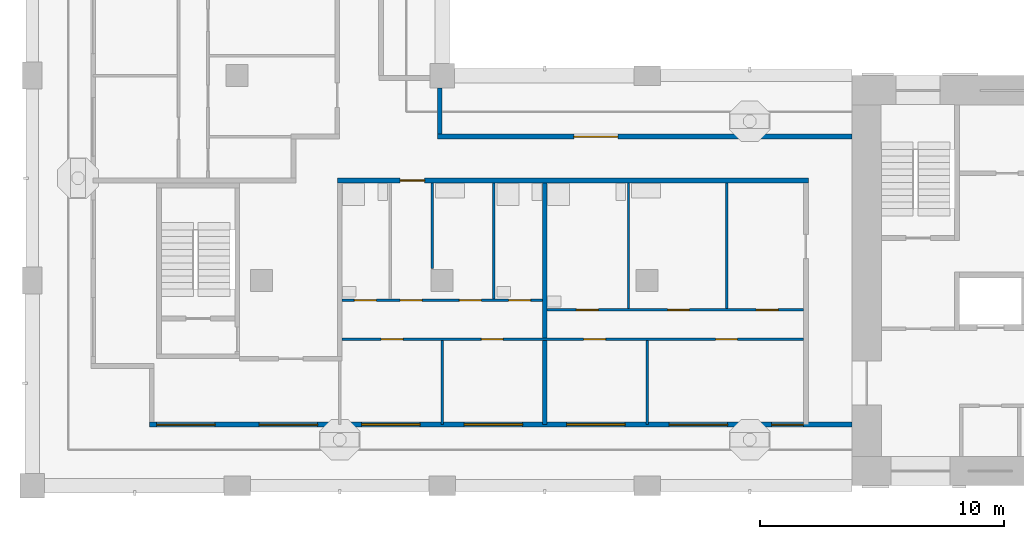
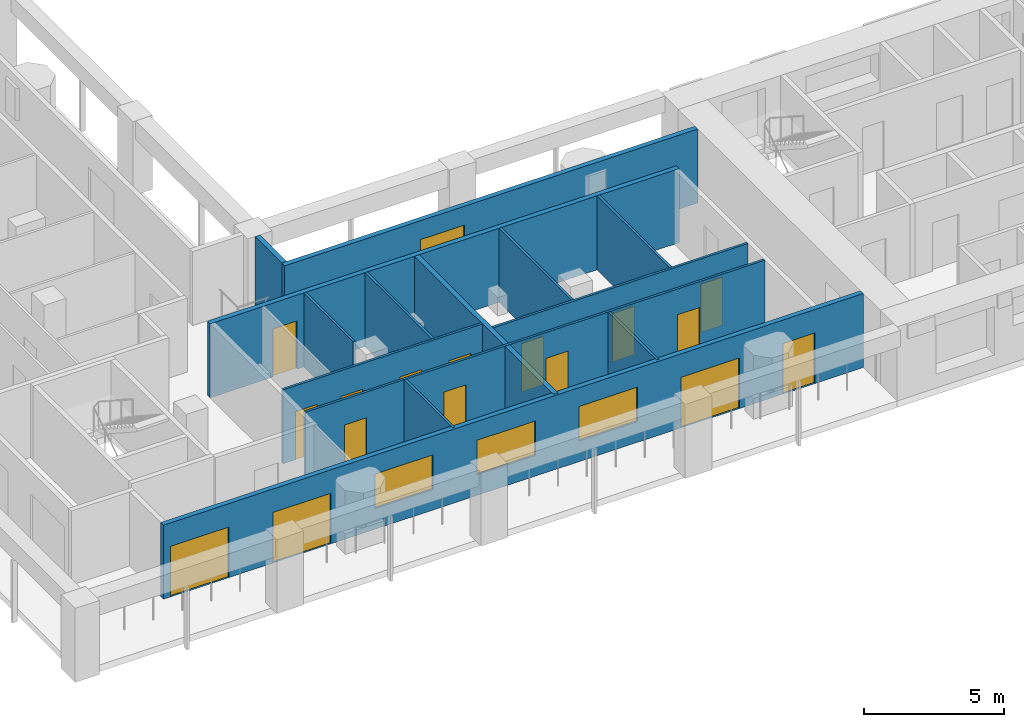
# One storey, part 2 of 12: 17 doors, 14 walls, 3 windows, 20 openings.
"""IFC4 building model written with IfcOpenShell, lengths in metres."""

from ifc_helpers import new_model, si_unit, direction, frame, frame_2d, origin, place, context, subcontext, project, spatial, rectangle, extrude, material, layer, layer_set, type_object, element, fill, save


model = new_model("IFC4")

# Units and contexts
model_context = context("Model", 3, precision=1e-05, world=origin(), true_north=direction((0.0, 1.0)))
body_context = subcontext(model_context, "Body", "Model", "MODEL_VIEW")
ifc_project = project(units=[si_unit("LENGTHUNIT", "METRE"), si_unit("AREAUNIT", "SQUARE_METRE"), si_unit("VOLUMEUNIT", "CUBIC_METRE"), si_unit("PLANEANGLEUNIT", "RADIAN"), si_unit("MASSUNIT", "GRAM", prefix="KILO")], contexts=[model_context])

# Site, building, storey
site_placement = place(None, origin())
site = spatial("IfcSite", under=ifc_project, at=site_placement, CompositionType="ELEMENT")
building_placement = place(site_placement, origin())
building = spatial("IfcBuilding", under=site, at=building_placement, Name="Vermilion Gate Residences", CompositionType="ELEMENT")
storey_placement = place(building_placement, frame((0.0, 0.0, 238.699951171875)))
storey = spatial("IfcBuildingStorey", under=building, at=storey_placement, Name="L62", CompositionType="ELEMENT", Elevation=238.699951171875)

# Wall, openings, doors, windows
ifc_material_1 = material(Name="Insulated steel stud wall with terracotta rainscreen", Category="masonry")
ifc_layer_1 = layer(ifc_material_1, 0.199951171875)
ifc_layer_set_1 = layer_set([ifc_layer_1], Name="EXTERNAL WALL 200 TERRACOTTA RAINSCREEN")
wall_type_1 = type_object("IfcWallType", Name="EXTERNAL WALL 200 TERRACOTTA RAINSCREEN", PredefinedType="SOLIDWALL", material=ifc_layer_set_1)
wall_1_placement = place(storey_placement, frame((13.199951171875, 10.89990234375, 0.0), z_axis=(0.0, 0.0, 1.0), x_axis=(1.0, 0.0, 0.0)))
wall_1 = element("IfcWall", 1, at=wall_1_placement, inside=storey, type_object=wall_type_1, Name="External wall", PredefinedType="SOLIDWALL", context=body_context, shape_type="SweptSolid", body=[
    extrude(rectangle(XDim=28.800048828125, YDim=0.199951171875, at=frame_2d((14.39990234375, 0.0))), origin(), (0.0, 0.0, 1.0), 3.219970703125),
])
opening_1_placement = place(wall_1_placement, frame((0.300048828125, 0.0, 0.0)))
opening_1 = element("IfcOpeningElement", 2, at=opening_1_placement, cuts=wall_1, Name="Opening DE62008", PredefinedType="OPENING", context=body_context, shape_type="SweptSolid", body=[
    extrude(rectangle(XDim=2.39990234375, YDim=2.199951171875, at=frame_2d((1.199951171875, 1.10009765625))), frame((0.0, 0.10986328125, 0.0), z_axis=(0.0, -1.0, 0.0), x_axis=(1.0, 0.0, 0.0)), (0.0, 0.0, 1.0), 0.219970703125),
])
opening_2_placement = place(wall_1_placement, frame((4.5, 0.0, 0.0)))
opening_2 = element("IfcOpeningElement", 3, at=opening_2_placement, cuts=wall_1, Name="Opening DE62009", PredefinedType="OPENING", context=body_context, shape_type="SweptSolid", body=[
    extrude(rectangle(XDim=2.39990234375, YDim=2.199951171875, at=frame_2d((1.199951171875, 1.10009765625))), frame((0.0, 0.10986328125, 0.0), z_axis=(0.0, -1.0, 0.0), x_axis=(1.0, 0.0, 0.0)), (0.0, 0.0, 1.0), 0.219970703125),
])
opening_3_placement = place(wall_1_placement, frame((8.699951171875, 0.0, 0.89990234375)))
opening_3 = element("IfcOpeningElement", 4, at=opening_3_placement, cuts=wall_1, Name="Opening WE62010", PredefinedType="OPENING", context=body_context, shape_type="SweptSolid", body=[
    extrude(rectangle(XDim=2.39990234375, YDim=1.5, at=frame_2d((1.199951171875, 0.75))), frame((0.0, 0.10986328125, 0.0), z_axis=(0.0, -1.0, 0.0), x_axis=(1.0, 0.0, 0.0)), (0.0, 0.0, 1.0), 0.219970703125),
])
opening_4_placement = place(wall_1_placement, frame((12.89990234375, 0.0, 0.89990234375)))
opening_4 = element("IfcOpeningElement", 5, at=opening_4_placement, cuts=wall_1, Name="Opening WE62011", PredefinedType="OPENING", context=body_context, shape_type="SweptSolid", body=[
    extrude(rectangle(XDim=2.39990234375, YDim=1.5, at=frame_2d((1.199951171875, 0.75))), frame((0.0, 0.10986328125, 0.0), z_axis=(0.0, -1.0, 0.0), x_axis=(1.0, 0.0, 0.0)), (0.0, 0.0, 1.0), 0.219970703125),
])
opening_5_placement = place(wall_1_placement, frame((17.10009765625, 0.0, 0.89990234375)))
opening_5 = element("IfcOpeningElement", 6, at=opening_5_placement, cuts=wall_1, Name="Opening WE62012", PredefinedType="OPENING", context=body_context, shape_type="SweptSolid", body=[
    extrude(rectangle(XDim=2.39990234375, YDim=1.5, at=frame_2d((1.199951171875, 0.75))), frame((0.0, 0.10986328125, 0.0), z_axis=(0.0, -1.0, 0.0), x_axis=(1.0, 0.0, 0.0)), (0.0, 0.0, 1.0), 0.219970703125),
])
opening_6_placement = place(wall_1_placement, frame((21.300048828125, 0.0, 0.0)))
opening_6 = element("IfcOpeningElement", 7, at=opening_6_placement, cuts=wall_1, Name="Opening DE62013", PredefinedType="OPENING", context=body_context, shape_type="SweptSolid", body=[
    extrude(rectangle(XDim=2.39990234375, YDim=2.199951171875, at=frame_2d((1.199951171875, 1.10009765625))), frame((0.0, 0.10986328125, 0.0), z_axis=(0.0, -1.0, 0.0), x_axis=(1.0, 0.0, 0.0)), (0.0, 0.0, 1.0), 0.219970703125),
])
opening_7_placement = place(wall_1_placement, frame((25.5, 0.0, 0.0)))
opening_7 = element("IfcOpeningElement", 8, at=opening_7_placement, cuts=wall_1, Name="Opening DE62014", PredefinedType="OPENING", context=body_context, shape_type="SweptSolid", body=[
    extrude(rectangle(XDim=1.300048828125, YDim=2.199951171875, at=frame_2d((0.64990234375, 1.10009765625))), frame((0.0, 0.10986328125, 0.0), z_axis=(0.0, -1.0, 0.0), x_axis=(1.0, 0.0, 0.0)), (0.0, 0.0, 1.0), 0.219970703125),
])
ifc_material_2 = material(Name="Aluminium and clear glass", Category="aluminium")
door_type_1 = type_object("IfcDoorType", Name="SLIDING GLAZED DOOR 1300 X 2200", OperationType="DOUBLE_DOOR_SLIDING", PredefinedType="DOOR", material=ifc_material_2)
door_1_placement = place(opening_7_placement, origin())
door_1 = element("IfcDoor", 9, at=door_1_placement, inside=storey, type_object=door_type_1, Name="Loggia sliding door", OperationType="DOUBLE_DOOR_SLIDING", OverallHeight=2.199951171875, OverallWidth=1.300048828125, PredefinedType="DOOR", context=body_context, shape_type="SweptSolid", body=[
    extrude(rectangle(XDim=1.300048828125, YDim=2.199951171875, at=frame_2d((0.64990234375, 1.10009765625))), frame((0.0, 0.02490234375, 0.0), z_axis=(0.0, -1.0, 0.0), x_axis=(1.0, 0.0, 0.0)), (0.0, 0.0, 1.0), 0.050048828125),
])
fill(opening_7, door_1)
ifc_material_3 = material(Name="Aluminium and clear glass", Category="aluminium")
door_type_2 = type_object("IfcDoorType", Name="SLIDING GLAZED DOOR 2400 X 2200", OperationType="DOUBLE_DOOR_SLIDING", PredefinedType="DOOR", material=ifc_material_3)
door_2_placement = place(opening_1_placement, origin())
door_2 = element("IfcDoor", 10, at=door_2_placement, inside=storey, type_object=door_type_2, Name="Loggia sliding door", OperationType="DOUBLE_DOOR_SLIDING", OverallHeight=2.199951171875, OverallWidth=2.39990234375, PredefinedType="DOOR", context=body_context, shape_type="SweptSolid", body=[
    extrude(rectangle(XDim=2.39990234375, YDim=2.199951171875, at=frame_2d((1.199951171875, 1.10009765625))), frame((0.0, 0.02490234375, 0.0), z_axis=(0.0, -1.0, 0.0), x_axis=(1.0, 0.0, 0.0)), (0.0, 0.0, 1.0), 0.050048828125),
])
fill(opening_1, door_2)
door_3_placement = place(opening_2_placement, origin())
door_3 = element("IfcDoor", 11, at=door_3_placement, inside=storey, type_object=door_type_2, Name="Loggia sliding door", OperationType="DOUBLE_DOOR_SLIDING", OverallHeight=2.199951171875, OverallWidth=2.39990234375, PredefinedType="DOOR", context=body_context, shape_type="SweptSolid", body=[
    extrude(rectangle(XDim=2.39990234375, YDim=2.199951171875, at=frame_2d((1.199951171875, 1.10009765625))), frame((0.0, 0.02490234375, 0.0), z_axis=(0.0, -1.0, 0.0), x_axis=(1.0, 0.0, 0.0)), (0.0, 0.0, 1.0), 0.050048828125),
])
fill(opening_2, door_3)
door_4_placement = place(opening_6_placement, origin())
door_4 = element("IfcDoor", 12, at=door_4_placement, inside=storey, type_object=door_type_2, Name="Loggia sliding door", OperationType="DOUBLE_DOOR_SLIDING", OverallHeight=2.199951171875, OverallWidth=2.39990234375, PredefinedType="DOOR", context=body_context, shape_type="SweptSolid", body=[
    extrude(rectangle(XDim=2.39990234375, YDim=2.199951171875, at=frame_2d((1.199951171875, 1.10009765625))), frame((0.0, 0.02490234375, 0.0), z_axis=(0.0, -1.0, 0.0), x_axis=(1.0, 0.0, 0.0)), (0.0, 0.0, 1.0), 0.050048828125),
])
fill(opening_6, door_4)
ifc_material_4 = material(Name="Aluminium and clear glass", Category="aluminium")
window_type = type_object("IfcWindowType", Name="WINDOW 2400 X 1500", PartitioningType="SINGLE_PANEL", PredefinedType="WINDOW", material=ifc_material_4)
window_1_placement = place(opening_3_placement, origin())
window_1 = element("IfcWindow", 13, at=window_1_placement, inside=storey, type_object=window_type, Name="Window", OverallHeight=1.5, OverallWidth=2.39990234375, PartitioningType="SINGLE_PANEL", PredefinedType="WINDOW", context=body_context, shape_type="SweptSolid", body=[
    extrude(rectangle(XDim=2.39990234375, YDim=1.5, at=frame_2d((1.199951171875, 0.75))), frame((0.0, 0.030029296875, 0.0), z_axis=(0.0, -1.0, 0.0), x_axis=(1.0, 0.0, 0.0)), (0.0, 0.0, 1.0), 0.06005859375),
])
fill(opening_3, window_1)
window_2_placement = place(opening_4_placement, origin())
window_2 = element("IfcWindow", 14, at=window_2_placement, inside=storey, type_object=window_type, Name="Window", OverallHeight=1.5, OverallWidth=2.39990234375, PartitioningType="SINGLE_PANEL", PredefinedType="WINDOW", context=body_context, shape_type="SweptSolid", body=[
    extrude(rectangle(XDim=2.39990234375, YDim=1.5, at=frame_2d((1.199951171875, 0.75))), frame((0.0, 0.030029296875, 0.0), z_axis=(0.0, -1.0, 0.0), x_axis=(1.0, 0.0, 0.0)), (0.0, 0.0, 1.0), 0.06005859375),
])
fill(opening_4, window_2)
window_3_placement = place(opening_5_placement, origin())
window_3 = element("IfcWindow", 15, at=window_3_placement, inside=storey, type_object=window_type, Name="Window", OverallHeight=1.5, OverallWidth=2.39990234375, PartitioningType="SINGLE_PANEL", PredefinedType="WINDOW", context=body_context, shape_type="SweptSolid", body=[
    extrude(rectangle(XDim=2.39990234375, YDim=1.5, at=frame_2d((1.199951171875, 0.75))), frame((0.0, 0.030029296875, 0.0), z_axis=(0.0, -1.0, 0.0), x_axis=(1.0, 0.0, 0.0)), (0.0, 0.0, 1.0), 0.06005859375),
])
fill(opening_5, window_3)

# Wall, opening, door
wall_2_placement = place(storey_placement, frame((42.0, 22.699951171875, 0.0), z_axis=(0.0, 0.0, 1.0), x_axis=(-1.0, 0.0, 0.0)))
wall_2 = element("IfcWall", 16, at=wall_2_placement, inside=storey, type_object=wall_type_1, Name="External wall", PredefinedType="SOLIDWALL", context=body_context, shape_type="SweptSolid", body=[
    extrude(rectangle(XDim=17.0, YDim=0.199951171875, at=frame_2d((8.5, 0.0))), origin(), (0.0, 0.0, 1.0), 3.219970703125),
])
opening_8_placement = place(wall_2_placement, frame((9.60009765625, 0.0, 0.0)))
opening_8 = element("IfcOpeningElement", 17, at=opening_8_placement, cuts=wall_2, Name="Opening DE62015", PredefinedType="OPENING", context=body_context, shape_type="SweptSolid", body=[
    extrude(rectangle(XDim=1.800048828125, YDim=2.39990234375, at=frame_2d((0.89990234375, 1.199951171875))), frame((0.0, 0.10986328125, 0.0), z_axis=(0.0, -1.0, 0.0), x_axis=(1.0, 0.0, 0.0)), (0.0, 0.0, 1.0), 0.219970703125),
])
ifc_material_5 = material(Name="Aluminium and clear glass", Category="aluminium")
door_type_3 = type_object("IfcDoorType", Name="GLAZED EXTERNAL DOOR 1800 X 2400", OperationType="DOUBLE_DOOR_SINGLE_SWING", PredefinedType="DOOR", material=ifc_material_5)
door_5_placement = place(opening_8_placement, frame((1.800048828125, 0.0, 0.0), z_axis=(0.0, 0.0, 1.0), x_axis=(-1.0, 0.0, 0.0)))
door_5 = element("IfcDoor", 18, at=door_5_placement, inside=storey, type_object=door_type_3, Name="Gallery door", OperationType="DOUBLE_DOOR_SINGLE_SWING", OverallHeight=2.39990234375, OverallWidth=1.800048828125, PredefinedType="DOOR", context=body_context, shape_type="SweptSolid", body=[
    extrude(rectangle(XDim=1.800048828125, YDim=2.39990234375, at=frame_2d((0.89990234375, 1.199951171875))), frame((0.0, 0.02490234375, 0.0), z_axis=(0.0, -1.0, 0.0), x_axis=(1.0, 0.0, 0.0)), (0.0, 0.0, 1.0), 0.050048828125),
])
fill(opening_8, door_5)

# Wall
wall_3_placement = place(storey_placement, frame((25.10009765625, 22.800048828125, 0.0), z_axis=(0.0, 0.0, 1.0), x_axis=(0.0, 1.0, 0.0)))
element("IfcWall", 19, at=wall_3_placement, inside=storey, type_object=wall_type_1, Name="External wall", PredefinedType="SOLIDWALL", context=body_context, shape_type="SweptSolid", body=[
    extrude(rectangle(XDim=1.89990234375, YDim=0.199951171875, at=frame_2d((0.949951171875, 0.0))), origin(), (0.0, 0.0, 1.0), 3.219970703125),
])

# Wall, openings, doors
ifc_material_6 = material(Name="Plasterboard on steel studs", Category="steel")
ifc_layer_2 = layer(ifc_material_6, 0.10009765625)
ifc_layer_set_2 = layer_set([ifc_layer_2], Name="PARTITION 100")
wall_type_2 = type_object("IfcWallType", Name="PARTITION 100", PredefinedType="PARTITIONING", material=ifc_layer_set_2)
wall_4_placement = place(storey_placement, frame((21.10009765625, 14.39990234375, 0.0), z_axis=(0.0, 0.0, 1.0), x_axis=(1.0, 0.0, 0.0)))
wall_4 = element("IfcWall", 20, at=wall_4_placement, inside=storey, type_object=wall_type_2, Name="Partition", PredefinedType="PARTITIONING", context=body_context, shape_type="SweptSolid", body=[
    extrude(rectangle(XDim=18.89990234375, YDim=0.10009765625, at=frame_2d((9.449951171875, 0.0))), origin(), (0.0, 0.0, 1.0), 3.219970703125),
])
opening_9_placement = place(wall_4_placement, frame((1.60009765625, 0.0, 0.0)))
opening_9 = element("IfcOpeningElement", 21, at=opening_9_placement, cuts=wall_4, Name="Opening DA61002", PredefinedType="OPENING", context=body_context, shape_type="SweptSolid", body=[
    extrude(rectangle(XDim=0.89990234375, YDim=2.10009765625, at=frame_2d((0.449951171875, 1.050048828125))), frame((0.0, 0.06005859375, 0.0), z_axis=(0.0, -1.0, 0.0), x_axis=(1.0, 0.0, 0.0)), (0.0, 0.0, 1.0), 0.1201171875),
])
opening_10_placement = place(wall_4_placement, frame((5.699951171875, 0.0, 0.0)))
opening_10 = element("IfcOpeningElement", 22, at=opening_10_placement, cuts=wall_4, Name="Opening DA61003", PredefinedType="OPENING", context=body_context, shape_type="SweptSolid", body=[
    extrude(rectangle(XDim=0.89990234375, YDim=2.10009765625, at=frame_2d((0.449951171875, 1.050048828125))), frame((0.0, 0.06005859375, 0.0), z_axis=(0.0, -1.0, 0.0), x_axis=(1.0, 0.0, 0.0)), (0.0, 0.0, 1.0), 0.1201171875),
])
opening_11_placement = place(wall_4_placement, frame((9.89990234375, 0.0, 0.0)))
opening_11 = element("IfcOpeningElement", 23, at=opening_11_placement, cuts=wall_4, Name="Opening DA61004", PredefinedType="OPENING", context=body_context, shape_type="SweptSolid", body=[
    extrude(rectangle(XDim=0.89990234375, YDim=2.10009765625, at=frame_2d((0.449951171875, 1.050048828125))), frame((0.0, 0.06005859375, 0.0), z_axis=(0.0, -1.0, 0.0), x_axis=(1.0, 0.0, 0.0)), (0.0, 0.0, 1.0), 0.1201171875),
])
opening_12_placement = place(wall_4_placement, frame((15.300048828125, 0.0, 0.0)))
opening_12 = element("IfcOpeningElement", 24, at=opening_12_placement, cuts=wall_4, Name="Opening DA61005", PredefinedType="OPENING", context=body_context, shape_type="SweptSolid", body=[
    extrude(rectangle(XDim=0.89990234375, YDim=2.10009765625, at=frame_2d((0.449951171875, 1.050048828125))), frame((0.0, 0.06005859375, 0.0), z_axis=(0.0, -1.0, 0.0), x_axis=(1.0, 0.0, 0.0)), (0.0, 0.0, 1.0), 0.1201171875),
])
ifc_material_7 = material(Name="Timber", Category="wood")
door_type_4 = type_object("IfcDoorType", Name="INTERIOR DOOR 900 X 2100", OperationType="SINGLE_SWING_LEFT", PredefinedType="DOOR", material=ifc_material_7)
door_6_placement = place(opening_9_placement, frame((0.89990234375, 0.0, 0.0), z_axis=(0.0, 0.0, 1.0), x_axis=(-1.0, 0.0, 0.0)))
door_6 = element("IfcDoor", 25, at=door_6_placement, inside=storey, type_object=door_type_4, Name="Interior door", OperationType="SINGLE_SWING_LEFT", OverallHeight=2.10009765625, OverallWidth=0.89990234375, PredefinedType="DOOR", context=body_context, shape_type="SweptSolid", body=[
    extrude(rectangle(XDim=0.89990234375, YDim=2.10009765625, at=frame_2d((0.449951171875, 1.050048828125))), frame((0.0, 0.02490234375, 0.0), z_axis=(0.0, -1.0, 0.0), x_axis=(1.0, 0.0, 0.0)), (0.0, 0.0, 1.0), 0.050048828125),
])
fill(opening_9, door_6)
door_7_placement = place(opening_10_placement, frame((0.89990234375, 0.0, 0.0), z_axis=(0.0, 0.0, 1.0), x_axis=(-1.0, 0.0, 0.0)))
door_7 = element("IfcDoor", 26, at=door_7_placement, inside=storey, type_object=door_type_4, Name="Interior door", OperationType="SINGLE_SWING_RIGHT", OverallHeight=2.10009765625, OverallWidth=0.89990234375, PredefinedType="DOOR", context=body_context, shape_type="SweptSolid", body=[
    extrude(rectangle(XDim=0.89990234375, YDim=2.10009765625, at=frame_2d((0.449951171875, 1.050048828125))), frame((0.0, 0.02490234375, 0.0), z_axis=(0.0, -1.0, 0.0), x_axis=(1.0, 0.0, 0.0)), (0.0, 0.0, 1.0), 0.050048828125),
])
fill(opening_10, door_7)
door_8_placement = place(opening_11_placement, frame((0.89990234375, 0.0, 0.0), z_axis=(0.0, 0.0, 1.0), x_axis=(-1.0, 0.0, 0.0)))
door_8 = element("IfcDoor", 27, at=door_8_placement, inside=storey, type_object=door_type_4, Name="Interior door", OperationType="SINGLE_SWING_RIGHT", OverallHeight=2.10009765625, OverallWidth=0.89990234375, PredefinedType="DOOR", context=body_context, shape_type="SweptSolid", body=[
    extrude(rectangle(XDim=0.89990234375, YDim=2.10009765625, at=frame_2d((0.449951171875, 1.050048828125))), frame((0.0, 0.02490234375, 0.0), z_axis=(0.0, -1.0, 0.0), x_axis=(1.0, 0.0, 0.0)), (0.0, 0.0, 1.0), 0.050048828125),
])
fill(opening_11, door_8)
door_9_placement = place(opening_12_placement, frame((0.89990234375, 0.0, 0.0), z_axis=(0.0, 0.0, 1.0), x_axis=(-1.0, 0.0, 0.0)))
door_9 = element("IfcDoor", 28, at=door_9_placement, inside=storey, type_object=door_type_4, Name="Interior door", OperationType="SINGLE_SWING_LEFT", OverallHeight=2.10009765625, OverallWidth=0.89990234375, PredefinedType="DOOR", context=body_context, shape_type="SweptSolid", body=[
    extrude(rectangle(XDim=0.89990234375, YDim=2.10009765625, at=frame_2d((0.449951171875, 1.050048828125))), frame((0.0, 0.02490234375, 0.0), z_axis=(0.0, -1.0, 0.0), x_axis=(1.0, 0.0, 0.0)), (0.0, 0.0, 1.0), 0.050048828125),
])
fill(opening_12, door_9)

wall_5_placement = place(storey_placement, frame((29.5, 15.60009765625, 0.0), z_axis=(0.0, 0.0, 1.0), x_axis=(1.0, 0.0, 0.0)))
wall_5 = element("IfcWall", 29, at=wall_5_placement, inside=storey, type_object=wall_type_2, Name="Partition", PredefinedType="PARTITIONING", context=body_context, shape_type="SweptSolid", body=[
    extrude(rectangle(XDim=10.5, YDim=0.10009765625, at=frame_2d((5.25, 0.0))), origin(), (0.0, 0.0, 1.0), 3.219970703125),
])
opening_13_placement = place(wall_5_placement, frame((8.56689453125, 0.0, 0.0)))
opening_13 = element("IfcOpeningElement", 30, at=opening_13_placement, cuts=wall_5, Name="Opening DA61006", PredefinedType="OPENING", context=body_context, shape_type="SweptSolid", body=[
    extrude(rectangle(XDim=0.89990234375, YDim=2.10009765625, at=frame_2d((0.449951171875, 1.050048828125))), frame((0.0, 0.06005859375, 0.0), z_axis=(0.0, -1.0, 0.0), x_axis=(1.0, 0.0, 0.0)), (0.0, 0.0, 1.0), 0.1201171875),
])
opening_14_placement = place(wall_5_placement, frame((1.199951171875, 0.0, 0.0)))
opening_14 = element("IfcOpeningElement", 31, at=opening_14_placement, cuts=wall_5, Name="Opening DA61007", PredefinedType="OPENING", context=body_context, shape_type="SweptSolid", body=[
    extrude(rectangle(XDim=0.89990234375, YDim=2.10009765625, at=frame_2d((0.449951171875, 1.050048828125))), frame((0.0, 0.06005859375, 0.0), z_axis=(0.0, -1.0, 0.0), x_axis=(1.0, 0.0, 0.0)), (0.0, 0.0, 1.0), 0.1201171875),
])
opening_15_placement = place(wall_5_placement, frame((4.93310546875, 0.0, 0.0)))
opening_15 = element("IfcOpeningElement", 32, at=opening_15_placement, cuts=wall_5, Name="Opening DA61008", PredefinedType="OPENING", context=body_context, shape_type="SweptSolid", body=[
    extrude(rectangle(XDim=0.89990234375, YDim=2.10009765625, at=frame_2d((0.449951171875, 1.050048828125))), frame((0.0, 0.06005859375, 0.0), z_axis=(0.0, -1.0, 0.0), x_axis=(1.0, 0.0, 0.0)), (0.0, 0.0, 1.0), 0.1201171875),
])
door_10_placement = place(opening_13_placement, frame((0.89990234375, 0.0, 0.0), z_axis=(0.0, 0.0, 1.0), x_axis=(-1.0, 0.0, 0.0)))
door_10 = element("IfcDoor", 33, at=door_10_placement, inside=storey, type_object=door_type_4, Name="Interior door", OperationType="SINGLE_SWING_LEFT", OverallHeight=2.10009765625, OverallWidth=0.89990234375, PredefinedType="DOOR", context=body_context, shape_type="SweptSolid", body=[
    extrude(rectangle(XDim=0.89990234375, YDim=2.10009765625, at=frame_2d((0.449951171875, 1.050048828125))), frame((0.0, 0.02490234375, 0.0), z_axis=(0.0, -1.0, 0.0), x_axis=(1.0, 0.0, 0.0)), (0.0, 0.0, 1.0), 0.050048828125),
])
fill(opening_13, door_10)
door_11_placement = place(opening_14_placement, origin())
door_11 = element("IfcDoor", 34, at=door_11_placement, inside=storey, type_object=door_type_4, Name="Interior door", OperationType="SINGLE_SWING_LEFT", OverallHeight=2.10009765625, OverallWidth=0.89990234375, PredefinedType="DOOR", context=body_context, shape_type="SweptSolid", body=[
    extrude(rectangle(XDim=0.89990234375, YDim=2.10009765625, at=frame_2d((0.449951171875, 1.050048828125))), frame((0.0, 0.02490234375, 0.0), z_axis=(0.0, -1.0, 0.0), x_axis=(1.0, 0.0, 0.0)), (0.0, 0.0, 1.0), 0.050048828125),
])
fill(opening_14, door_11)
door_12_placement = place(opening_15_placement, origin())
door_12 = element("IfcDoor", 35, at=door_12_placement, inside=storey, type_object=door_type_4, Name="Interior door", OperationType="SINGLE_SWING_RIGHT", OverallHeight=2.10009765625, OverallWidth=0.89990234375, PredefinedType="DOOR", context=body_context, shape_type="SweptSolid", body=[
    extrude(rectangle(XDim=0.89990234375, YDim=2.10009765625, at=frame_2d((0.449951171875, 1.050048828125))), frame((0.0, 0.02490234375, 0.0), z_axis=(0.0, -1.0, 0.0), x_axis=(1.0, 0.0, 0.0)), (0.0, 0.0, 1.0), 0.050048828125),
])
fill(opening_15, door_12)

wall_6_placement = place(storey_placement, frame((21.10009765625, 16.0, 0.0), z_axis=(0.0, 0.0, 1.0), x_axis=(1.0, 0.0, 0.0)))
wall_6 = element("IfcWall", 36, at=wall_6_placement, inside=storey, type_object=wall_type_2, Name="Partition", PredefinedType="PARTITIONING", context=body_context, shape_type="SweptSolid", body=[
    extrude(rectangle(XDim=8.199951171875, YDim=0.10009765625, at=frame_2d((4.10009765625, 0.0))), origin(), (0.0, 0.0, 1.0), 3.219970703125),
])
opening_16_placement = place(wall_6_placement, frame((2.3798828125, 0.0, 0.0)))
opening_16 = element("IfcOpeningElement", 37, at=opening_16_placement, cuts=wall_6, Name="Opening DA61009", PredefinedType="OPENING", context=body_context, shape_type="SweptSolid", body=[
    extrude(rectangle(XDim=0.89990234375, YDim=2.10009765625, at=frame_2d((0.449951171875, 1.050048828125))), frame((0.0, 0.06005859375, 0.0), z_axis=(0.0, -1.0, 0.0), x_axis=(1.0, 0.0, 0.0)), (0.0, 0.0, 1.0), 0.1201171875),
])
opening_17_placement = place(wall_6_placement, frame((0.5, 0.0, 0.0)))
opening_17 = element("IfcOpeningElement", 38, at=opening_17_placement, cuts=wall_6, Name="Opening DA61010", PredefinedType="OPENING", context=body_context, shape_type="SweptSolid", body=[
    extrude(rectangle(XDim=0.89990234375, YDim=2.10009765625, at=frame_2d((0.449951171875, 1.050048828125))), frame((0.0, 0.06005859375, 0.0), z_axis=(0.0, -1.0, 0.0), x_axis=(1.0, 0.0, 0.0)), (0.0, 0.0, 1.0), 0.1201171875),
])
opening_18_placement = place(wall_6_placement, frame((4.800048828125, 0.0, 0.0)))
opening_18 = element("IfcOpeningElement", 39, at=opening_18_placement, cuts=wall_6, Name="Opening DA61011", PredefinedType="OPENING", context=body_context, shape_type="SweptSolid", body=[
    extrude(rectangle(XDim=0.89990234375, YDim=2.10009765625, at=frame_2d((0.449951171875, 1.050048828125))), frame((0.0, 0.06005859375, 0.0), z_axis=(0.0, -1.0, 0.0), x_axis=(1.0, 0.0, 0.0)), (0.0, 0.0, 1.0), 0.1201171875),
])
opening_19_placement = place(wall_6_placement, frame((6.820068359375, 0.0, 0.0)))
opening_19 = element("IfcOpeningElement", 40, at=opening_19_placement, cuts=wall_6, Name="Opening DA61012", PredefinedType="OPENING", context=body_context, shape_type="SweptSolid", body=[
    extrude(rectangle(XDim=0.89990234375, YDim=2.10009765625, at=frame_2d((0.449951171875, 1.050048828125))), frame((0.0, 0.06005859375, 0.0), z_axis=(0.0, -1.0, 0.0), x_axis=(1.0, 0.0, 0.0)), (0.0, 0.0, 1.0), 0.1201171875),
])
door_13_placement = place(opening_16_placement, origin())
door_13 = element("IfcDoor", 41, at=door_13_placement, inside=storey, type_object=door_type_4, Name="Interior door", OperationType="SINGLE_SWING_LEFT", OverallHeight=2.10009765625, OverallWidth=0.89990234375, PredefinedType="DOOR", context=body_context, shape_type="SweptSolid", body=[
    extrude(rectangle(XDim=0.89990234375, YDim=2.10009765625, at=frame_2d((0.449951171875, 1.050048828125))), frame((0.0, 0.02490234375, 0.0), z_axis=(0.0, -1.0, 0.0), x_axis=(1.0, 0.0, 0.0)), (0.0, 0.0, 1.0), 0.050048828125),
])
fill(opening_16, door_13)
door_14_placement = place(opening_17_placement, origin())
door_14 = element("IfcDoor", 42, at=door_14_placement, inside=storey, type_object=door_type_4, Name="Interior door", OperationType="SINGLE_SWING_RIGHT", OverallHeight=2.10009765625, OverallWidth=0.89990234375, PredefinedType="DOOR", context=body_context, shape_type="SweptSolid", body=[
    extrude(rectangle(XDim=0.89990234375, YDim=2.10009765625, at=frame_2d((0.449951171875, 1.050048828125))), frame((0.0, 0.02490234375, 0.0), z_axis=(0.0, -1.0, 0.0), x_axis=(1.0, 0.0, 0.0)), (0.0, 0.0, 1.0), 0.050048828125),
])
fill(opening_17, door_14)
door_15_placement = place(opening_18_placement, origin())
door_15 = element("IfcDoor", 43, at=door_15_placement, inside=storey, type_object=door_type_4, Name="Interior door", OperationType="SINGLE_SWING_RIGHT", OverallHeight=2.10009765625, OverallWidth=0.89990234375, PredefinedType="DOOR", context=body_context, shape_type="SweptSolid", body=[
    extrude(rectangle(XDim=0.89990234375, YDim=2.10009765625, at=frame_2d((0.449951171875, 1.050048828125))), frame((0.0, 0.02490234375, 0.0), z_axis=(0.0, -1.0, 0.0), x_axis=(1.0, 0.0, 0.0)), (0.0, 0.0, 1.0), 0.050048828125),
])
fill(opening_18, door_15)
door_16_placement = place(opening_19_placement, origin())
door_16 = element("IfcDoor", 44, at=door_16_placement, inside=storey, type_object=door_type_4, Name="Interior door", OperationType="SINGLE_SWING_RIGHT", OverallHeight=2.10009765625, OverallWidth=0.89990234375, PredefinedType="DOOR", context=body_context, shape_type="SweptSolid", body=[
    extrude(rectangle(XDim=0.89990234375, YDim=2.10009765625, at=frame_2d((0.449951171875, 1.050048828125))), frame((0.0, 0.02490234375, 0.0), z_axis=(0.0, -1.0, 0.0), x_axis=(1.0, 0.0, 0.0)), (0.0, 0.0, 1.0), 0.050048828125),
])
fill(opening_19, door_16)

# Walls
wall_7_placement = place(storey_placement, frame((24.800048828125, 17.300048828125, 0.0), z_axis=(0.0, 0.0, 1.0), x_axis=(0.0, 1.0, 0.0)))
element("IfcWall", 45, at=wall_7_placement, inside=storey, type_object=wall_type_2, Name="Partition", PredefinedType="PARTITIONING", context=body_context, shape_type="SweptSolid", body=[
    extrude(rectangle(XDim=3.5, YDim=0.10009765625, at=frame_2d((1.75, 0.0))), origin(), (0.0, 0.0, 1.0), 3.219970703125),
])
wall_8_placement = place(storey_placement, frame((25.199951171875, 10.89990234375, 0.0), z_axis=(0.0, 0.0, 1.0), x_axis=(0.0, 1.0, 0.0)))
element("IfcWall", 46, at=wall_8_placement, inside=storey, type_object=wall_type_2, Name="Partition", PredefinedType="PARTITIONING", context=body_context, shape_type="SweptSolid", body=[
    extrude(rectangle(XDim=3.4501953125, YDim=0.10009765625, at=frame_2d((1.72509765625, 0.0))), origin(), (0.0, 0.0, 1.0), 3.219970703125),
])
wall_9_placement = place(storey_placement, frame((27.320068359375, 16.050048828125, 0.0), z_axis=(0.0, 0.0, 1.0), x_axis=(0.0, 1.0, 0.0)))
element("IfcWall", 47, at=wall_9_placement, inside=storey, type_object=wall_type_2, Name="Partition", PredefinedType="PARTITIONING", context=body_context, shape_type="SweptSolid", body=[
    extrude(rectangle(XDim=4.75, YDim=0.10009765625, at=frame_2d((2.375, 0.0))), origin(), (0.0, 0.0, 1.0), 3.219970703125),
])
wall_10_placement = place(storey_placement, frame((32.8330078125, 15.64990234375, 0.0), z_axis=(0.0, 0.0, 1.0), x_axis=(0.0, 1.0, 0.0)))
element("IfcWall", 48, at=wall_10_placement, inside=storey, type_object=wall_type_2, Name="Partition", PredefinedType="PARTITIONING", context=body_context, shape_type="SweptSolid", body=[
    extrude(rectangle(XDim=5.150146484375, YDim=0.10009765625, at=frame_2d((2.5751953125, 0.0))), origin(), (0.0, 0.0, 1.0), 3.219970703125),
])
wall_11_placement = place(storey_placement, frame((33.60009765625, 10.89990234375, 0.0), z_axis=(0.0, 0.0, 1.0), x_axis=(0.0, 1.0, 0.0)))
element("IfcWall", 49, at=wall_11_placement, inside=storey, type_object=wall_type_2, Name="Partition", PredefinedType="PARTITIONING", context=body_context, shape_type="SweptSolid", body=[
    extrude(rectangle(XDim=3.4501953125, YDim=0.10009765625, at=frame_2d((1.72509765625, 0.0))), origin(), (0.0, 0.0, 1.0), 3.219970703125),
])
wall_12_placement = place(storey_placement, frame((36.866943359375, 15.64990234375, 0.0), z_axis=(0.0, 0.0, 1.0), x_axis=(0.0, 1.0, 0.0)))
element("IfcWall", 50, at=wall_12_placement, inside=storey, type_object=wall_type_2, Name="Partition", PredefinedType="PARTITIONING", context=body_context, shape_type="SweptSolid", body=[
    extrude(rectangle(XDim=5.150146484375, YDim=0.10009765625, at=frame_2d((2.5751953125, 0.0))), origin(), (0.0, 0.0, 1.0), 3.219970703125),
])

# Wall, opening, door
ifc_material_8 = material(Name="Fire-rated plasterboard on steel studs", Category="steel")
ifc_layer_3 = layer(ifc_material_8, 0.199951171875)
ifc_layer_set_3 = layer_set([ifc_layer_3], Name="PARTY WALL 200 EI 120")
wall_type_3 = type_object("IfcWallType", Name="PARTY WALL 200 EI 120", PredefinedType="PARTITIONING", material=ifc_layer_set_3)
wall_13_placement = place(storey_placement, frame((20.89990234375, 20.89990234375, 0.0), z_axis=(0.0, 0.0, 1.0), x_axis=(1.0, 0.0, 0.0)))
wall_13 = element("IfcWall", 51, at=wall_13_placement, inside=storey, type_object=wall_type_3, Name="Party and corridor wall", PredefinedType="PARTITIONING", context=body_context, shape_type="SweptSolid", body=[
    extrude(rectangle(XDim=19.300048828125, YDim=0.199951171875, at=frame_2d((9.64990234375, 0.0))), origin(), (0.0, 0.0, 1.0), 3.219970703125),
])
opening_20_placement = place(wall_13_placement, frame((2.580078125, 0.0, 0.0)))
opening_20 = element("IfcOpeningElement", 52, at=opening_20_placement, cuts=wall_13, Name="Opening DA61013", PredefinedType="OPENING", context=body_context, shape_type="SweptSolid", body=[
    extrude(rectangle(XDim=1.0, YDim=2.10009765625, at=frame_2d((0.5, 1.050048828125))), frame((0.0, 0.10986328125, 0.0), z_axis=(0.0, -1.0, 0.0), x_axis=(1.0, 0.0, 0.0)), (0.0, 0.0, 1.0), 0.219970703125),
])
ifc_material_9 = material(Name="Steel", Category="steel")
door_type_5 = type_object("IfcDoorType", Name="ENTRANCE DOOR 1000 X 2100 FD30", OperationType="SINGLE_SWING_LEFT", PredefinedType="DOOR", material=ifc_material_9)
door_17_placement = place(opening_20_placement, frame((1.0, 0.0, 0.0), z_axis=(0.0, 0.0, 1.0), x_axis=(-1.0, 0.0, 0.0)))
door_17 = element("IfcDoor", 53, at=door_17_placement, inside=storey, type_object=door_type_5, Name="Entrance door", OperationType="SINGLE_SWING_LEFT", OverallHeight=2.10009765625, OverallWidth=1.0, PredefinedType="DOOR", context=body_context, shape_type="SweptSolid", body=[
    extrude(rectangle(XDim=1.0, YDim=2.10009765625, at=frame_2d((0.5, 1.050048828125))), frame((0.0, 0.02490234375, 0.0), z_axis=(0.0, -1.0, 0.0), x_axis=(1.0, 0.0, 0.0)), (0.0, 0.0, 1.0), 0.050048828125),
])
fill(opening_20, door_17)

# Wall
wall_14_placement = place(storey_placement, frame((29.39990234375, 10.89990234375, 0.0), z_axis=(0.0, 0.0, 1.0), x_axis=(0.0, 1.0, 0.0)))
element("IfcWall", 54, at=wall_14_placement, inside=storey, type_object=wall_type_3, Name="Party and corridor wall", PredefinedType="PARTITIONING", context=body_context, shape_type="SweptSolid", body=[
    extrude(rectangle(XDim=9.900146484375, YDim=0.199951171875, at=frame_2d((4.9501953125, 0.0))), origin(), (0.0, 0.0, 1.0), 3.219970703125),
])

save(model, "model.ifc")
